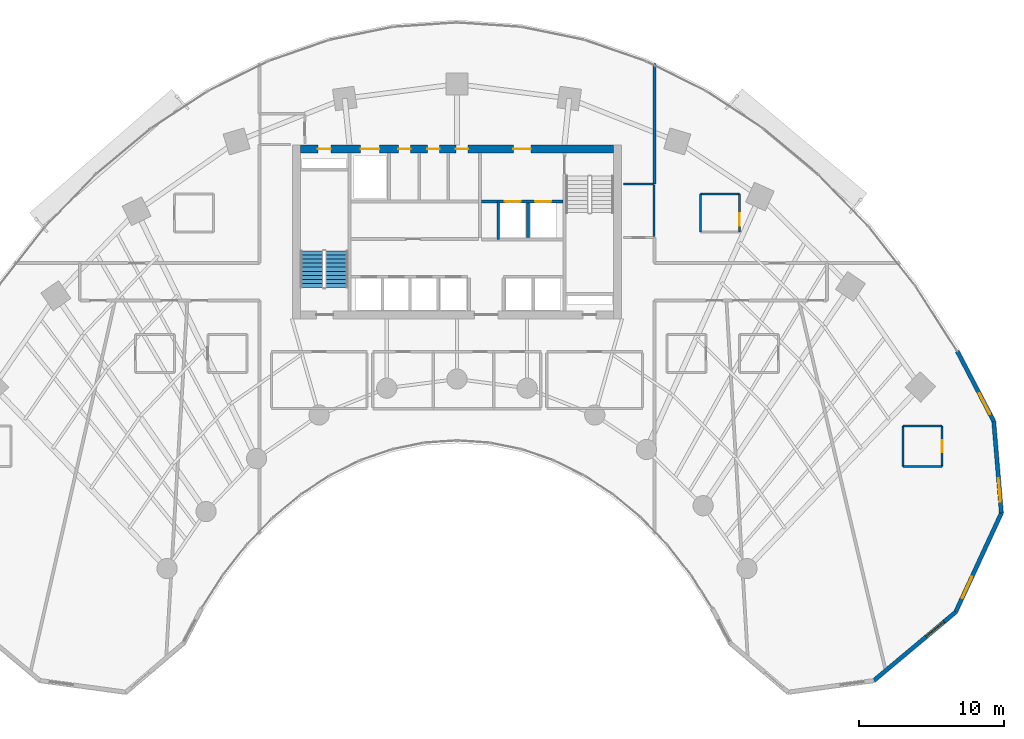
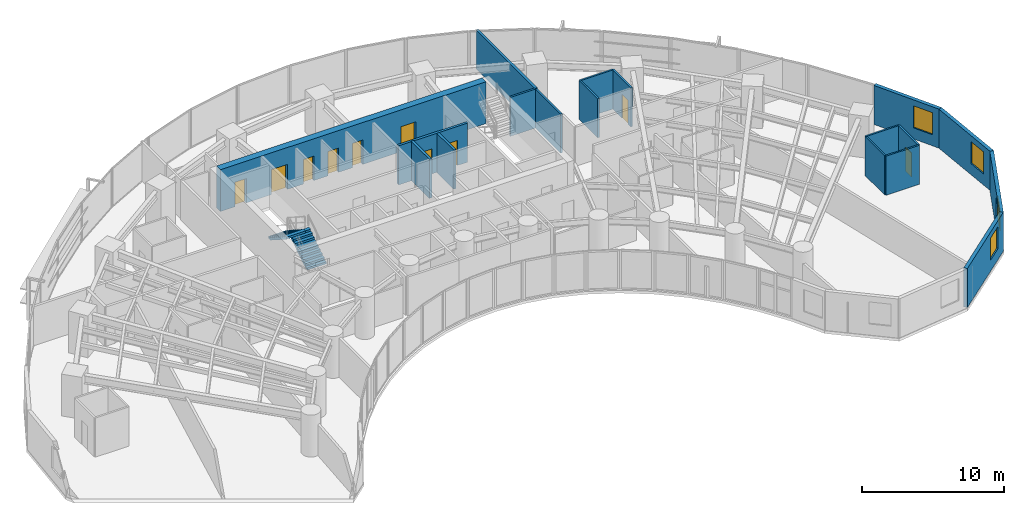
# One storey, part 14 of 17: 18 walls, 10 doors, 4 windows, 2 stair flights, 14 openings, 1 element without a shape of its own.
"""IFC4 building model written with IfcOpenShell, lengths in metres."""

from ifc_helpers import new_model, si_unit, direction, frame, frame_2d, origin, place, context, subcontext, project, spatial, polyline, rectangle, outline, extrude, source, transform, mapped, material, layer, layer_set, type_object, type_shapes, element, fill, aggregate, save


model = new_model("IFC4")

# Units and contexts
model_context = context("Model", 3, precision=1e-05, world=origin(), true_north=direction((0.0, 1.0)))
body_context = subcontext(model_context, "Body", "Model", "MODEL_VIEW")
ifc_project = project(units=[si_unit("LENGTHUNIT", "METRE"), si_unit("AREAUNIT", "SQUARE_METRE"), si_unit("VOLUMEUNIT", "CUBIC_METRE"), si_unit("PLANEANGLEUNIT", "RADIAN"), si_unit("MASSUNIT", "GRAM", prefix="KILO")], contexts=[model_context])

# Site, building, storey
site_placement = place(None, origin())
site = spatial("IfcSite", under=ifc_project, at=site_placement, CompositionType="ELEMENT")
building_placement = place(site_placement, origin())
building = spatial("IfcBuilding", under=site, at=building_placement, Name="Breltana Convention Tower", CompositionType="ELEMENT")
storey_placement = place(building_placement, frame((0.0, 0.0, 78.60009765625)))
storey = spatial("IfcBuildingStorey", under=building, at=storey_placement, Name="L18", CompositionType="ELEMENT", Elevation=78.60009765625)

# Wall, openings, doors
ifc_material_1 = material(Name="Concrete C60/75", Category="concrete")
ifc_layer_1 = layer(ifc_material_1, 0.550048828125, Name="Concrete C60/75")
ifc_layer_set_1 = layer_set([ifc_layer_1], Name="Concrete C60/75")
wall_type_1 = type_object("IfcWallType", Name="SW-CORE-550", PredefinedType="SHEAR", material=ifc_layer_set_1)
shared_shape_1 = source(origin(), body_context, "Body", "SweptSolid", [
    extrude(rectangle(XDim=21.60009765625, YDim=0.550048828125, at=frame_2d((10.800048828125, 0.0))), origin(), (0.0, 0.0, 1.0), 3.599853515625),
])
wall_1_placement = place(storey_placement, frame((37.199951171875, 71.925048828125, 0.0), z_axis=(0.0, 0.0, 1.0), x_axis=(1.0, 0.0, 0.0)))
wall_1 = element("IfcWall", 1, at=wall_1_placement, inside=storey, type_object=wall_type_1, Name="L18 North Core Shear Wall", PredefinedType="SHEAR", context=body_context, shape_type="MappedRepresentation", body=[
    mapped(shared_shape_1, transform((0.0, 0.0, 0.0), scale=1.0)),
])
opening_1_placement = place(wall_1_placement, frame((1.199951171875, 0.0, 0.0)))
opening_1 = element("IfcOpeningElement", 2, at=opening_1_placement, cuts=wall_1, Name="Opening D-18", PredefinedType="OPENING", context=body_context, shape_type="SweptSolid", body=[
    extrude(rectangle(XDim=0.89990234375, YDim=2.10009765625, at=frame_2d((0.449951171875, 1.050048828125))), frame((0.0, 0.28515625, 0.0), z_axis=(0.0, -1.0, 0.0), x_axis=(1.0, 0.0, 0.0)), (0.0, 0.0, 1.0), 0.570068359375),
])
opening_2_placement = place(wall_1_placement, frame((14.699951171875, 0.0, 0.0)))
opening_2 = element("IfcOpeningElement", 3, at=opening_2_placement, cuts=wall_1, Name="Opening D-09", PredefinedType="OPENING", context=body_context, shape_type="SweptSolid", body=[
    extrude(rectangle(XDim=1.199951171875, YDim=2.14990234375, at=frame_2d((0.60009765625, 1.074951171875))), frame((0.0, 0.28515625, 0.0), z_axis=(0.0, -1.0, 0.0), x_axis=(1.0, 0.0, 0.0)), (0.0, 0.0, 1.0), 0.570068359375),
])
opening_3_placement = place(wall_1_placement, frame((4.14990234375, 0.0, 0.0)))
opening_3 = element("IfcOpeningElement", 4, at=opening_3_placement, cuts=wall_1, Name="Opening LD-01", PredefinedType="OPENING", context=body_context, shape_type="SweptSolid", body=[
    extrude(rectangle(XDim=1.300048828125, YDim=2.14990234375, at=frame_2d((0.64990234375, 1.074951171875))), frame((0.0, 0.28515625, 0.0), z_axis=(0.0, -1.0, 0.0), x_axis=(1.0, 0.0, 0.0)), (0.0, 0.0, 1.0), 0.570068359375),
])
opening_4_placement = place(wall_1_placement, frame((6.760009765625, 0.0, 0.0)))
opening_4 = element("IfcOpeningElement", 5, at=opening_4_placement, cuts=wall_1, Name="Opening D-20", PredefinedType="OPENING", context=body_context, shape_type="SweptSolid", body=[
    extrude(rectangle(XDim=0.85009765625, YDim=2.10009765625, at=frame_2d((0.425048828125, 1.050048828125))), frame((0.0, 0.28515625, 0.0), z_axis=(0.0, -1.0, 0.0), x_axis=(1.0, 0.0, 0.0)), (0.0, 0.0, 1.0), 0.570068359375),
])
opening_5_placement = place(wall_1_placement, frame((8.760009765625, 0.0, 0.0)))
opening_5 = element("IfcOpeningElement", 6, at=opening_5_placement, cuts=wall_1, Name="Opening D-20", PredefinedType="OPENING", context=body_context, shape_type="SweptSolid", body=[
    extrude(rectangle(XDim=0.85009765625, YDim=2.10009765625, at=frame_2d((0.425048828125, 1.050048828125))), frame((0.0, 0.28515625, 0.0), z_axis=(0.0, -1.0, 0.0), x_axis=(1.0, 0.0, 0.0)), (0.0, 0.0, 1.0), 0.570068359375),
])
opening_6_placement = place(wall_1_placement, frame((10.72509765625, 0.0, 0.0)))
opening_6 = element("IfcOpeningElement", 7, at=opening_6_placement, cuts=wall_1, Name="Opening D-20", PredefinedType="OPENING", context=body_context, shape_type="SweptSolid", body=[
    extrude(rectangle(XDim=0.85009765625, YDim=2.10009765625, at=frame_2d((0.425048828125, 1.050048828125))), frame((0.0, 0.28515625, 0.0), z_axis=(0.0, -1.0, 0.0), x_axis=(1.0, 0.0, 0.0)), (0.0, 0.0, 1.0), 0.570068359375),
])
ifc_material_2 = material(Name="Steel Riser Fire Door", Category="steel")
door_type_1 = type_object("IfcDoorType", Name="DR-FD60-900", OperationType="NOTDEFINED", PredefinedType="DOOR", material=ifc_material_2)
shared_shape_2 = source(origin(), body_context, "Body", "SweptSolid", [
    extrude(rectangle(XDim=0.89990234375, YDim=2.10009765625, at=frame_2d((0.449951171875, 1.050048828125))), frame((0.0, 0.02490234375, 0.0), z_axis=(0.0, -1.0, 0.0), x_axis=(1.0, 0.0, 0.0)), (0.0, 0.0, 1.0), 0.050048828125),
])
type_shapes(door_type_1, [shared_shape_2])
door_1_placement = place(opening_1_placement, origin())
door_1 = element("IfcDoor", 8, at=door_1_placement, inside=storey, type_object=door_type_1, Name="L18 Core Riser Access Door D-L18-RS1", OperationType="SINGLE_SWING_LEFT", OverallHeight=2.10009765625, OverallWidth=0.89990234375, PredefinedType="DOOR", context=body_context, shape_type="MappedRepresentation", body=[
    mapped(shared_shape_2, transform((0.0, 0.0, 0.0), scale=1.0)),
])
fill(opening_1, door_1)
ifc_material_3 = material(Name="Steel Fire Lobby Door", Category="steel")
door_type_2 = type_object("IfcDoorType", Name="DR-FD120-1200", OperationType="NOTDEFINED", PredefinedType="DOOR", material=ifc_material_3)
shared_shape_3 = source(origin(), body_context, "Body", "SweptSolid", [
    extrude(rectangle(XDim=1.199951171875, YDim=2.14990234375, at=frame_2d((0.60009765625, 1.074951171875))), frame((0.0, 0.02490234375, 0.0), z_axis=(0.0, -1.0, 0.0), x_axis=(1.0, 0.0, 0.0)), (0.0, 0.0, 1.0), 0.050048828125),
])
type_shapes(door_type_2, [shared_shape_3])
door_2_placement = place(opening_2_placement, origin())
door_2 = element("IfcDoor", 9, at=door_2_placement, inside=storey, type_object=door_type_2, Name="L18 interior door D-L18-FFL-N", OperationType="SINGLE_SWING_RIGHT", OverallHeight=2.14990234375, OverallWidth=1.199951171875, PredefinedType="DOOR", context=body_context, shape_type="MappedRepresentation", body=[
    mapped(shared_shape_3, transform((0.0, 0.0, 0.0), scale=1.0)),
])
fill(opening_2, door_2)
ifc_material_4 = material(Name="Stainless Steel Brushed", Category="steel")
door_type_3 = type_object("IfcDoorType", Name="DR-LD-SRV-1300", OperationType="DOUBLE_DOOR_SLIDING", PredefinedType="DOOR", material=ifc_material_4)
shared_shape_4 = source(origin(), body_context, "Body", "SweptSolid", [
    extrude(rectangle(XDim=1.300048828125, YDim=2.14990234375, at=frame_2d((0.64990234375, 1.074951171875))), frame((0.0, 0.02490234375, 0.0), z_axis=(0.0, -1.0, 0.0), x_axis=(1.0, 0.0, 0.0)), (0.0, 0.0, 1.0), 0.050048828125),
])
type_shapes(door_type_3, [shared_shape_4])
door_3_placement = place(opening_3_placement, origin())
door_3 = element("IfcDoor", 10, at=door_3_placement, inside=storey, type_object=door_type_3, Name="L18 Lift Landing Door D-L18-LD-SV1", OperationType="DOUBLE_DOOR_SLIDING", OverallHeight=2.14990234375, OverallWidth=1.300048828125, PredefinedType="DOOR", context=body_context, shape_type="MappedRepresentation", body=[
    mapped(shared_shape_4, transform((0.0, 0.0, 0.0), scale=1.0)),
])
fill(opening_3, door_3)
ifc_material_5 = material(Name="Steel Closet Fire Door", Category="steel")
door_type_4 = type_object("IfcDoorType", Name="DR-FD60-850", OperationType="NOTDEFINED", PredefinedType="DOOR", material=ifc_material_5)
shared_shape_5 = source(origin(), body_context, "Body", "SweptSolid", [
    extrude(rectangle(XDim=0.85009765625, YDim=2.10009765625, at=frame_2d((0.425048828125, 1.050048828125))), frame((0.0, 0.02490234375, 0.0), z_axis=(0.0, -1.0, 0.0), x_axis=(1.0, 0.0, 0.0)), (0.0, 0.0, 1.0), 0.050048828125),
])
type_shapes(door_type_4, [shared_shape_5])
door_4_placement = place(opening_4_placement, origin())
door_4 = element("IfcDoor", 11, at=door_4_placement, inside=storey, type_object=door_type_4, Name="L18 interior door D-L18-CRA1", OperationType="SINGLE_SWING_RIGHT", OverallHeight=2.10009765625, OverallWidth=0.85009765625, PredefinedType="DOOR", context=body_context, shape_type="MappedRepresentation", body=[
    mapped(shared_shape_5, transform((0.0, 0.0, 0.0), scale=1.0)),
])
fill(opening_4, door_4)
door_5_placement = place(opening_5_placement, origin())
door_5 = element("IfcDoor", 12, at=door_5_placement, inside=storey, type_object=door_type_4, Name="L18 interior door D-L18-CRA2", OperationType="SINGLE_SWING_LEFT", OverallHeight=2.10009765625, OverallWidth=0.85009765625, PredefinedType="DOOR", context=body_context, shape_type="MappedRepresentation", body=[
    mapped(shared_shape_5, transform((0.0, 0.0, 0.0), scale=1.0)),
])
fill(opening_5, door_5)
door_6_placement = place(opening_6_placement, origin())
door_6 = element("IfcDoor", 13, at=door_6_placement, inside=storey, type_object=door_type_4, Name="L18 interior door D-L18-CRA3", OperationType="SINGLE_SWING_RIGHT", OverallHeight=2.10009765625, OverallWidth=0.85009765625, PredefinedType="DOOR", context=body_context, shape_type="MappedRepresentation", body=[
    mapped(shared_shape_5, transform((0.0, 0.0, 0.0), scale=1.0)),
])
fill(opening_6, door_6)

# Wall, opening, window
ifc_material_6 = material(Name="Limestone Buff Insulated Wall", Category="masonry")
ifc_layer_2 = layer(ifc_material_6, 0.280029296875, Name="Limestone Buff Insulated Wall")
ifc_layer_set_2 = layer_set([ifc_layer_2], Name="Limestone Buff Insulated Wall")
wall_type_2 = type_object("IfcWallType", Name="WL-EXT-NOSE-280", PredefinedType="SOLIDWALL", material=ifc_layer_set_2)
shared_shape_6 = source(origin(), body_context, "Body", "SweptSolid", [
    extrude(rectangle(XDim=6.3525390625, YDim=0.280029296875, at=frame_2d((3.17626953125, 0.0))), origin(), (0.0, 0.0, 1.0), 3.35986328125),
])
wall_2_placement = place(storey_placement, frame((85.052978515625, 53.1220703125, 0.0), z_axis=(0.0, 0.0, 1.0), x_axis=(0.083319001377, -0.996522926986, 0.0)))
wall_2 = element("IfcWall", 14, at=wall_2_placement, inside=storey, type_object=wall_type_2, Name="L18 curved limestone nose wall E1", PredefinedType="SOLIDWALL", context=body_context, shape_type="MappedRepresentation", body=[
    mapped(shared_shape_6, transform((0.0, 0.0, 0.0), scale=1.0)),
])
opening_7_placement = place(wall_2_placement, frame((3.96435546875, 0.0, 0.949951171875)))
opening_7 = element("IfcOpeningElement", 15, at=opening_7_placement, cuts=wall_2, Name="Opening W-04", PredefinedType="OPENING", context=body_context, shape_type="SweptSolid", body=[
    extrude(rectangle(XDim=1.60009765625, YDim=1.89990234375, at=frame_2d((0.800048828125, 0.949951171875))), frame((0.0, 0.14990234375, 0.0), z_axis=(0.0, -1.0, 0.0), x_axis=(1.0, 0.0, 0.0)), (0.0, 0.0, 1.0), 0.300048828125),
])
ifc_material_7 = material(Name="Glass Low-E Insulated Window", Category="glass")
window_type = type_object("IfcWindowType", Name="WN-NOSE-1600X1900", PartitioningType="SINGLE_PANEL", PredefinedType="WINDOW", material=ifc_material_7)
shared_shape_7 = source(origin(), body_context, "Body", "SweptSolid", [
    extrude(rectangle(XDim=1.60009765625, YDim=1.89990234375, at=frame_2d((0.800048828125, 0.949951171875))), frame((0.0, 0.030029296875, 0.0), z_axis=(0.0, -1.0, 0.0), x_axis=(1.0, 0.0, 0.0)), (0.0, 0.0, 1.0), 0.06005859375),
])
type_shapes(window_type, [shared_shape_7])
window_1_placement = place(opening_7_placement, origin())
window_1 = element("IfcWindow", 16, at=window_1_placement, inside=storey, type_object=window_type, Name="L18 nose window E1", OverallHeight=1.89990234375, OverallWidth=1.60009765625, PartitioningType="SINGLE_PANEL", PredefinedType="WINDOW", context=body_context, shape_type="MappedRepresentation", body=[
    mapped(shared_shape_7, transform((0.0, 0.0, 0.0), scale=1.0)),
])
fill(opening_7, window_1)

shared_shape_8 = source(origin(), body_context, "Body", "SweptSolid", [
    extrude(rectangle(XDim=7.536376953125, YDim=0.280029296875, at=frame_2d((3.76806640625, 0.0))), origin(), (0.0, 0.0, 1.0), 3.35986328125),
])
wall_3_placement = place(storey_placement, frame((85.582275390625, 46.79150390625, 0.0), z_axis=(0.0, 0.0, 1.0), x_axis=(-0.41964973873, -0.907686122393, 0.0)))
wall_3 = element("IfcWall", 17, at=wall_3_placement, inside=storey, type_object=wall_type_2, Name="L18 curved limestone nose wall E2", PredefinedType="SOLIDWALL", context=body_context, shape_type="MappedRepresentation", body=[
    mapped(shared_shape_8, transform((0.0, 0.0, 0.0), scale=1.0)),
])
opening_8_placement = place(wall_3_placement, frame((4.852294921875, 0.0, 0.949951171875)))
opening_8 = element("IfcOpeningElement", 18, at=opening_8_placement, cuts=wall_3, Name="Opening W-04", PredefinedType="OPENING", context=body_context, shape_type="SweptSolid", body=[
    extrude(rectangle(XDim=1.60009765625, YDim=1.89990234375, at=frame_2d((0.800048828125, 0.949951171875))), frame((0.0, 0.14990234375, 0.0), z_axis=(0.0, -1.0, 0.0), x_axis=(1.0, 0.0, 0.0)), (0.0, 0.0, 1.0), 0.300048828125),
])
window_2_placement = place(opening_8_placement, origin())
window_2 = element("IfcWindow", 19, at=window_2_placement, inside=storey, type_object=window_type, Name="L18 nose window E2", OverallHeight=1.89990234375, OverallWidth=1.60009765625, PartitioningType="SINGLE_PANEL", PredefinedType="WINDOW", context=body_context, shape_type="MappedRepresentation", body=[
    mapped(shared_shape_7, transform((0.0, 0.0, 0.0), scale=1.0)),
])
fill(opening_8, window_2)

shared_shape_9 = source(origin(), body_context, "Body", "SweptSolid", [
    extrude(rectangle(XDim=7.35888671875, YDim=0.280029296875, at=frame_2d((3.679443359375, 0.0))), origin(), (0.0, 0.0, 1.0), 3.35986328125),
])
wall_4_placement = place(storey_placement, frame((82.419677734375, 39.950927734375, 0.0), z_axis=(0.0, 0.0, 1.0), x_axis=(-0.766737165543, -0.641961150675, 0.0)))
wall_4 = element("IfcWall", 20, at=wall_4_placement, inside=storey, type_object=wall_type_2, Name="L18 curved limestone nose wall E3", PredefinedType="SOLIDWALL", context=body_context, shape_type="MappedRepresentation", body=[
    mapped(shared_shape_9, transform((0.0, 0.0, 0.0), scale=1.0)),
])
opening_9_placement = place(wall_4_placement, frame((1.039794921875, 0.0, 0.949951171875)))
opening_9 = element("IfcOpeningElement", 21, at=opening_9_placement, cuts=wall_4, Name="Opening W-04", PredefinedType="OPENING", context=body_context, shape_type="SweptSolid", body=[
    extrude(rectangle(XDim=1.60009765625, YDim=1.89990234375, at=frame_2d((0.800048828125, 0.949951171875))), frame((0.0, 0.14990234375, 0.0), z_axis=(0.0, -1.0, 0.0), x_axis=(1.0, 0.0, 0.0)), (0.0, 0.0, 1.0), 0.300048828125),
])
window_3_placement = place(opening_9_placement, origin())
window_3 = element("IfcWindow", 22, at=window_3_placement, inside=storey, type_object=window_type, Name="L18 nose window E3", OverallHeight=1.89990234375, OverallWidth=1.60009765625, PartitioningType="SINGLE_PANEL", PredefinedType="WINDOW", context=body_context, shape_type="MappedRepresentation", body=[
    mapped(shared_shape_7, transform((0.0, 0.0, 0.0), scale=1.0)),
])
fill(opening_9, window_3)

shared_shape_10 = source(origin(), body_context, "Body", "SweptSolid", [
    extrude(rectangle(XDim=5.45947265625, YDim=0.280029296875, at=frame_2d((2.729736328125, 0.0))), origin(), (0.0, 0.0, 1.0), 3.35986328125),
])
wall_5_placement = place(storey_placement, frame((82.531982421875, 57.964599609375, 0.0), z_axis=(0.0, 0.0, 1.0), x_axis=(0.461768054321, -0.887000712518, 0.0)))
wall_5 = element("IfcWall", 23, at=wall_5_placement, inside=storey, type_object=wall_type_2, Name="L18 curved limestone nose wall E7", PredefinedType="SOLIDWALL", context=body_context, shape_type="MappedRepresentation", body=[
    mapped(shared_shape_10, transform((0.0, 0.0, 0.0), scale=1.0)),
])
opening_10_placement = place(wall_5_placement, frame((3.294677734375, 0.0, 0.949951171875)))
opening_10 = element("IfcOpeningElement", 24, at=opening_10_placement, cuts=wall_5, Name="Opening W-04", PredefinedType="OPENING", context=body_context, shape_type="SweptSolid", body=[
    extrude(rectangle(XDim=1.60009765625, YDim=1.89990234375, at=frame_2d((0.800048828125, 0.949951171875))), frame((0.0, 0.14990234375, 0.0), z_axis=(0.0, -1.0, 0.0), x_axis=(1.0, 0.0, 0.0)), (0.0, 0.0, 1.0), 0.300048828125),
])
window_4_placement = place(opening_10_placement, origin())
window_4 = element("IfcWindow", 25, at=window_4_placement, inside=storey, type_object=window_type, Name="L18 nose window E7", OverallHeight=1.89990234375, OverallWidth=1.60009765625, PartitioningType="SINGLE_PANEL", PredefinedType="WINDOW", context=body_context, shape_type="MappedRepresentation", body=[
    mapped(shared_shape_7, transform((0.0, 0.0, 0.0), scale=1.0)),
])
fill(opening_10, window_4)

# Wall, openings, doors
ifc_material_8 = material(Name="Autoclaved Aerated Concrete Block", Category="concrete")
ifc_layer_3 = layer(ifc_material_8, 0.199951171875, Name="Autoclaved Aerated Concrete Block")
ifc_layer_set_3 = layer_set([ifc_layer_3], Name="Autoclaved Aerated Concrete Block")
wall_type_3 = type_object("IfcWallType", Name="WL-SHAFT-200", PredefinedType="SOLIDWALL", material=ifc_layer_set_3)
shared_shape_11 = source(origin(), body_context, "Body", "SweptSolid", [
    extrude(rectangle(XDim=5.6201171875, YDim=0.199951171875, at=frame_2d((2.81005859375, 0.0))), origin(), (0.0, 0.0, 1.0), 3.35986328125),
])
wall_6_placement = place(storey_placement, frame((49.699951171875, 68.300048828125, 0.0), z_axis=(0.0, 0.0, 1.0), x_axis=(1.0, 0.0, 0.0)))
wall_6 = element("IfcWall", 26, at=wall_6_placement, inside=storey, type_object=wall_type_3, Name="L18 interior partition W-L18-FFL-S", PredefinedType="SOLIDWALL", context=body_context, shape_type="MappedRepresentation", body=[
    mapped(shared_shape_11, transform((0.0, 0.0, 0.0), scale=1.0)),
])
opening_11_placement = place(wall_6_placement, frame((1.60009765625, 0.0, 0.0)))
opening_11 = element("IfcOpeningElement", 27, at=opening_11_placement, cuts=wall_6, Name="Opening LD-03", PredefinedType="OPENING", context=body_context, shape_type="SweptSolid", body=[
    extrude(rectangle(XDim=1.10009765625, YDim=2.14990234375, at=frame_2d((0.550048828125, 1.074951171875))), frame((0.0, 0.10986328125, 0.0), z_axis=(0.0, -1.0, 0.0), x_axis=(1.0, 0.0, 0.0)), (0.0, 0.0, 1.0), 0.219970703125),
])
opening_12_placement = place(wall_6_placement, frame((3.699951171875, 0.0, 0.0)))
opening_12 = element("IfcOpeningElement", 28, at=opening_12_placement, cuts=wall_6, Name="Opening LD-03", PredefinedType="OPENING", context=body_context, shape_type="SweptSolid", body=[
    extrude(rectangle(XDim=1.10009765625, YDim=2.14990234375, at=frame_2d((0.550048828125, 1.074951171875))), frame((0.0, 0.10986328125, 0.0), z_axis=(0.0, -1.0, 0.0), x_axis=(1.0, 0.0, 0.0)), (0.0, 0.0, 1.0), 0.219970703125),
])
door_type_5 = type_object("IfcDoorType", Name="DR-LD-FF-1100", OperationType="DOUBLE_DOOR_SLIDING", PredefinedType="DOOR", material=ifc_material_4)
shared_shape_12 = source(origin(), body_context, "Body", "SweptSolid", [
    extrude(rectangle(XDim=1.10009765625, YDim=2.14990234375, at=frame_2d((0.550048828125, 1.074951171875))), frame((0.0, 0.02490234375, 0.0), z_axis=(0.0, -1.0, 0.0), x_axis=(1.0, 0.0, 0.0)), (0.0, 0.0, 1.0), 0.050048828125),
])
type_shapes(door_type_5, [shared_shape_12])
door_7_placement = place(opening_11_placement, origin())
door_7 = element("IfcDoor", 29, at=door_7_placement, inside=storey, type_object=door_type_5, Name="L18 Lift Landing Door D-L18-LD-FL1", OperationType="DOUBLE_DOOR_SLIDING", OverallHeight=2.14990234375, OverallWidth=1.10009765625, PredefinedType="DOOR", context=body_context, shape_type="MappedRepresentation", body=[
    mapped(shared_shape_12, transform((0.0, 0.0, 0.0), scale=1.0)),
])
fill(opening_11, door_7)
door_8_placement = place(opening_12_placement, origin())
door_8 = element("IfcDoor", 30, at=door_8_placement, inside=storey, type_object=door_type_5, Name="L18 Lift Landing Door D-L18-LD-FL2", OperationType="DOUBLE_DOOR_SLIDING", OverallHeight=2.14990234375, OverallWidth=1.10009765625, PredefinedType="DOOR", context=body_context, shape_type="MappedRepresentation", body=[
    mapped(shared_shape_12, transform((0.0, 0.0, 0.0), scale=1.0)),
])
fill(opening_12, door_8)

# Walls
shared_shape_13 = source(origin(), body_context, "Body", "SweptSolid", [
    extrude(rectangle(XDim=2.580078125, YDim=0.199951171875, at=frame_2d((1.2900390625, 0.0))), origin(), (0.0, 0.0, 1.0), 3.35986328125),
])
wall_7_placement = place(storey_placement, frame((50.85009765625, 65.679931640625, 0.0), z_axis=(0.0, 0.0, 1.0), x_axis=(0.0, 1.0, 0.0)))
element("IfcWall", 31, at=wall_7_placement, inside=storey, type_object=wall_type_3, Name="L18 interior partition W-L18-FL-W", PredefinedType="SOLIDWALL", context=body_context, shape_type="MappedRepresentation", body=[
    mapped(shared_shape_13, transform((0.0, 0.0, 0.0), scale=1.0)),
])
shared_shape_14 = source(origin(), body_context, "Body", "SweptSolid", [
    extrude(rectangle(XDim=2.39990234375, YDim=0.199951171875, at=frame_2d((1.199951171875, 0.0))), origin(), (0.0, 0.0, 1.0), 3.35986328125),
])
wall_8_placement = place(storey_placement, frame((52.89990234375, 65.800048828125, 0.0), z_axis=(0.0, 0.0, 1.0), x_axis=(0.0, 1.0, 0.0)))
element("IfcWall", 32, at=wall_8_placement, inside=storey, type_object=wall_type_3, Name="L18 interior partition W-L18-FL-DIV", PredefinedType="SOLIDWALL", context=body_context, shape_type="MappedRepresentation", body=[
    mapped(shared_shape_14, transform((0.0, 0.0, 0.0), scale=1.0)),
])
ifc_material_9 = material(Name="Gypsum Acoustic Drywall Partition")
ifc_layer_4 = layer(ifc_material_9, 0.14990234375, Name="Gypsum Acoustic Drywall Partition")
ifc_layer_set_4 = layer_set([ifc_layer_4], Name="Gypsum Acoustic Drywall Partition")
wall_type_4 = type_object("IfcWallType", Name="WL-PART-150", PredefinedType="PARTITIONING", material=ifc_layer_set_4)
shared_shape_15 = source(origin(), body_context, "Body", "SweptSolid", [
    extrude(rectangle(XDim=2.10009765625, YDim=0.14990234375, at=frame_2d((1.050048828125, 0.0))), origin(), (0.0, 0.0, 1.0), 3.35986328125),
])
wall_9_placement = place(storey_placement, frame((59.5, 69.5, 0.0), z_axis=(0.0, 0.0, 1.0), x_axis=(1.0, 0.0, 0.0)))
element("IfcWall", 33, at=wall_9_placement, inside=storey, type_object=wall_type_4, Name="L18 interior partition W-L18-CRSE-N", PredefinedType="PARTITIONING", context=body_context, shape_type="MappedRepresentation", body=[
    mapped(shared_shape_15, transform((0.0, 0.0, 0.0), scale=1.0)),
])
shared_shape_16 = source(origin(), body_context, "Body", "SweptSolid", [
    extrude(rectangle(XDim=3.565185546875, YDim=0.14990234375, at=frame_2d((1.78271484375, 0.0))), origin(), (0.0, 0.0, 1.0), 3.35986328125),
])
wall_10_placement = place(storey_placement, frame((61.60009765625, 65.867431640625, 0.0), z_axis=(0.0, 0.0, 1.0), x_axis=(0.0, 1.0, 0.0)))
element("IfcWall", 34, at=wall_10_placement, inside=storey, type_object=wall_type_4, Name="L18 interior partition W-L18-CRSE-E", PredefinedType="PARTITIONING", context=body_context, shape_type="MappedRepresentation", body=[
    mapped(shared_shape_16, transform((0.0, 0.0, 0.0), scale=1.0)),
])
ifc_material_10 = material(Name="Gypsum Acoustic Hotel Wall")
ifc_layer_5 = layer(ifc_material_10, 0.195068359375, Name="Gypsum Acoustic Hotel Wall")
ifc_layer_set_5 = layer_set([ifc_layer_5], Name="Gypsum Acoustic Hotel Wall")
wall_type_5 = type_object("IfcWallType", Name="WL-HOTEL-200", PredefinedType="PARTITIONING", material=ifc_layer_set_5)
shared_shape_17 = source(origin(), body_context, "Body", "SweptSolid", [
    extrude(rectangle(XDim=8.324462890625, YDim=0.195068359375, at=frame_2d((4.162109375, 0.0))), origin(), (0.0, 0.0, 1.0), 3.35986328125),
])
wall_11_placement = place(storey_placement, frame((61.639892578125, 69.5, 0.0), z_axis=(0.0, 0.0, 1.0), x_axis=(0.0, 1.0, 0.0)))
element("IfcWall", 35, at=wall_11_placement, inside=storey, type_object=wall_type_5, Name="L18 interior partition W-L18-PHEN-CE2", PredefinedType="PARTITIONING", context=body_context, shape_type="MappedRepresentation", body=[
    mapped(shared_shape_17, transform((0.0, 0.0, 0.0), scale=1.0)),
])
ifc_material_11 = material(Name="Moisture-Resistant En-Suite Partition")
ifc_layer_6 = layer(ifc_material_11, 0.139892578125, Name="Moisture-Resistant En-Suite Partition")
ifc_layer_set_6 = layer_set([ifc_layer_6], Name="Moisture-Resistant En-Suite Partition")
wall_type_6 = type_object("IfcWallType", Name="WL-WET-150", PredefinedType="PARTITIONING", material=ifc_layer_set_6)
shared_shape_18 = source(origin(), body_context, "Body", "SweptSolid", [
    extrude(rectangle(XDim=2.699951171875, YDim=0.139892578125, at=frame_2d((1.35009765625, 0.0))), origin(), (0.0, 0.0, 1.0), 3.35986328125),
])
for number, where, z_axis, x_axis, name in (
    (36, (64.800048828125, 68.800048828125, 0.0), (0.0, 0.0, 1.0), (1.0, 0.0, 0.0), "L18 interior partition W-L18-PHEN1E-N"),
    (37, (78.800048828125, 52.800048828125, 0.0), (0.0, 0.0, 1.0), (1.0, 0.0, 0.0), "L18 interior partition W-L18-PHES3E-N"),
    (38, (78.800048828125, 50.0, 0.0), (0.0, 0.0, 1.0), (1.0, 0.0, 0.0), "L18 interior partition W-L18-PHES3E-S"),
):
    element("IfcWall", number, at=place(storey_placement, frame(where, z_axis=z_axis, x_axis=x_axis)), inside=storey, type_object=wall_type_6, Name=name, PredefinedType="PARTITIONING", context=body_context, shape_type="MappedRepresentation", body=[
        mapped(shared_shape_18, transform((0.0, 0.0, 0.0), scale=1.0)),
    ])
shared_shape_19 = source(origin(), body_context, "Body", "SweptSolid", [
    extrude(rectangle(XDim=2.60009765625, YDim=0.139892578125, at=frame_2d((1.300048828125, 0.0))), origin(), (0.0, 0.0, 1.0), 3.35986328125),
])
wall_12_placement = place(storey_placement, frame((64.800048828125, 66.199951171875, 0.0), z_axis=(0.0, 0.0, 1.0), x_axis=(0.0, 1.0, 0.0)))
element("IfcWall", 39, at=wall_12_placement, inside=storey, type_object=wall_type_6, Name="L18 interior partition W-L18-PHEN1E-W", PredefinedType="PARTITIONING", context=body_context, shape_type="MappedRepresentation", body=[
    mapped(shared_shape_19, transform((0.0, 0.0, 0.0), scale=1.0)),
])

# Wall, opening, door
wall_13_placement = place(storey_placement, frame((67.5, 66.199951171875, 0.0), z_axis=(0.0, 0.0, 1.0), x_axis=(0.0, 1.0, 0.0)))
wall_13 = element("IfcWall", 40, at=wall_13_placement, inside=storey, type_object=wall_type_6, Name="L18 interior partition W-L18-PHEN1E-E", PredefinedType="PARTITIONING", context=body_context, shape_type="MappedRepresentation", body=[
    mapped(shared_shape_19, transform((0.0, 0.0, 0.0), scale=1.0)),
])
opening_13_placement = place(wall_13_placement, frame((0.425048828125, 0.0, 0.0)))
opening_13 = element("IfcOpeningElement", 41, at=opening_13_placement, cuts=wall_13, Name="Opening D-21", PredefinedType="OPENING", context=body_context, shape_type="SweptSolid", body=[
    extrude(rectangle(XDim=0.85009765625, YDim=2.050048828125, at=frame_2d((0.425048828125, 1.02490234375))), frame((0.0, 0.080078125, 0.0), z_axis=(0.0, -1.0, 0.0), x_axis=(1.0, 0.0, 0.0)), (0.0, 0.0, 1.0), 0.159912109375),
])
ifc_material_12 = material(Name="Timber Moisture-Resistant En-Suite Door", Category="wood")
door_type_6 = type_object("IfcDoorType", Name="DR-WET-850", OperationType="NOTDEFINED", PredefinedType="DOOR", material=ifc_material_12)
shared_shape_20 = source(origin(), body_context, "Body", "SweptSolid", [
    extrude(rectangle(XDim=0.85009765625, YDim=2.050048828125, at=frame_2d((0.425048828125, 1.02490234375))), frame((0.0, 0.02490234375, 0.0), z_axis=(0.0, -1.0, 0.0), x_axis=(1.0, 0.0, 0.0)), (0.0, 0.0, 1.0), 0.050048828125),
])
type_shapes(door_type_6, [shared_shape_20])
door_9_placement = place(opening_13_placement, origin())
door_9 = element("IfcDoor", 42, at=door_9_placement, inside=storey, type_object=door_type_6, Name="L18 interior door D-L18-PHEN1E", OperationType="SINGLE_SWING_RIGHT", OverallHeight=2.050048828125, OverallWidth=0.85009765625, PredefinedType="DOOR", context=body_context, shape_type="MappedRepresentation", body=[
    mapped(shared_shape_20, transform((0.0, 0.0, 0.0), scale=1.0)),
])
fill(opening_13, door_9)

# Wall
shared_shape_21 = source(origin(), body_context, "Body", "SweptSolid", [
    extrude(rectangle(XDim=2.800048828125, YDim=0.139892578125, at=frame_2d((1.39990234375, 0.0))), origin(), (0.0, 0.0, 1.0), 3.35986328125),
])
wall_14_placement = place(storey_placement, frame((78.800048828125, 50.0, 0.0), z_axis=(0.0, 0.0, 1.0), x_axis=(0.0, 1.0, 0.0)))
element("IfcWall", 43, at=wall_14_placement, inside=storey, type_object=wall_type_6, Name="L18 interior partition W-L18-PHES3E-W", PredefinedType="PARTITIONING", context=body_context, shape_type="MappedRepresentation", body=[
    mapped(shared_shape_21, transform((0.0, 0.0, 0.0), scale=1.0)),
])

# Wall, opening, door
wall_15_placement = place(storey_placement, frame((81.5, 50.0, 0.0), z_axis=(0.0, 0.0, 1.0), x_axis=(0.0, 1.0, 0.0)))
wall_15 = element("IfcWall", 44, at=wall_15_placement, inside=storey, type_object=wall_type_6, Name="L18 interior partition W-L18-PHES3E-E", PredefinedType="PARTITIONING", context=body_context, shape_type="MappedRepresentation", body=[
    mapped(shared_shape_21, transform((0.0, 0.0, 0.0), scale=1.0)),
])
opening_14_placement = place(wall_15_placement, frame((0.97509765625, 0.0, 0.0)))
opening_14 = element("IfcOpeningElement", 45, at=opening_14_placement, cuts=wall_15, Name="Opening D-21", PredefinedType="OPENING", context=body_context, shape_type="SweptSolid", body=[
    extrude(rectangle(XDim=0.85009765625, YDim=2.050048828125, at=frame_2d((0.425048828125, 1.02490234375))), frame((0.0, 0.080078125, 0.0), z_axis=(0.0, -1.0, 0.0), x_axis=(1.0, 0.0, 0.0)), (0.0, 0.0, 1.0), 0.159912109375),
])
door_10_placement = place(opening_14_placement, origin())
door_10 = element("IfcDoor", 46, at=door_10_placement, inside=storey, type_object=door_type_6, Name="L18 interior door D-L18-PHES3E", OperationType="SINGLE_SWING_RIGHT", OverallHeight=2.050048828125, OverallWidth=0.85009765625, PredefinedType="DOOR", context=body_context, shape_type="MappedRepresentation", body=[
    mapped(shared_shape_20, transform((0.0, 0.0, 0.0), scale=1.0)),
])
fill(opening_14, door_10)

# Stair, stair flights
ifc_material_13 = material(Name="Concrete C40/50", Category="concrete")
stair_type = type_object("IfcStairType", Name="ST-DOG-1560-R180", PredefinedType="HALF_TURN_STAIR", material=ifc_material_13)
stair_placement = place(storey_placement, origin())
stair = element("IfcStair", 47, at=stair_placement, inside=storey, type_object=stair_type, Name="L18 Protected Core Exit Stair ST-1", PredefinedType="HALF_TURN_STAIR")
stair_flight_type = type_object("IfcStairFlightType", Name="STF-DOG-1560-N10-R180", PredefinedType="STRAIGHT", material=ifc_material_13)
stair_flight_1_placement = place(storey_placement, frame((39.68994140625, 62.360107421875, 0.0), z_axis=(0.0, 0.0, 1.0), x_axis=(0.0, 1.0, 0.0)))
stair_flight_1 = element("IfcStairFlight", 48, at=stair_flight_1_placement, type_object=stair_flight_type, Name="ST-1 flight 1", NumberOfRisers=10, NumberOfTreads=9, PredefinedType="STRAIGHT", RiserHeight=0.18, TreadLength=0.28, context=body_context, shape_type="SweptSolid", body=[
    extrude(outline(polyline([(0.0, 0.0), (0.0, 0.179931640625), (0.280029296875, 0.179931640625), (0.280029296875, 0.360107421875), (0.56005859375, 0.360107421875), (0.56005859375, 0.5400390625), (0.840087890625, 0.5400390625), (0.840087890625, 0.719970703125), (1.1201171875, 0.719970703125), (1.1201171875, 0.89990234375), (1.39990234375, 0.89990234375), (1.39990234375, 1.080078125), (1.679931640625, 1.080078125), (1.679931640625, 1.260009765625), (1.9599609375, 1.260009765625), (1.9599609375, 1.43994140625), (2.239990234375, 1.43994140625), (2.239990234375, 1.6201171875), (2.52001953125, 1.6201171875), (2.52001953125, 1.800048828125), (2.52001953125, 1.44189453125), (0.277099609375, 0.0), (0.0, 0.0)])), frame((0.0, 0.780029296875, 0.0), z_axis=(0.0, -1.0, 0.0), x_axis=(1.0, 0.0, 0.0)), (0.0, 0.0, 1.0), 1.56005859375),
])
stair_flight_2_placement = place(storey_placement, frame((37.97998046875, 64.8798828125, 1.7998046875), z_axis=(0.0, 0.0, 1.0), x_axis=(0.0, -1.0, 0.0)))
stair_flight_2 = element("IfcStairFlight", 49, at=stair_flight_2_placement, type_object=stair_flight_type, Name="ST-1 flight 2", NumberOfRisers=10, NumberOfTreads=9, PredefinedType="STRAIGHT", RiserHeight=0.18, TreadLength=0.28, context=body_context, shape_type="SweptSolid", body=[
    extrude(outline(polyline([(0.0, 0.0), (0.0, 0.179931640625), (0.280029296875, 0.179931640625), (0.280029296875, 0.360107421875), (0.56005859375, 0.360107421875), (0.56005859375, 0.5400390625), (0.840087890625, 0.5400390625), (0.840087890625, 0.719970703125), (1.1201171875, 0.719970703125), (1.1201171875, 0.89990234375), (1.39990234375, 0.89990234375), (1.39990234375, 1.080078125), (1.679931640625, 1.080078125), (1.679931640625, 1.260009765625), (1.9599609375, 1.260009765625), (1.9599609375, 1.43994140625), (2.239990234375, 1.43994140625), (2.239990234375, 1.6201171875), (2.52001953125, 1.6201171875), (2.52001953125, 1.800048828125), (2.52001953125, 1.44189453125), (0.277099609375, 0.0), (0.0, 0.0)])), frame((0.0, 0.780029296875, 0.0), z_axis=(0.0, -1.0, 0.0), x_axis=(1.0, 0.0, 0.0)), (0.0, 0.0, 1.0), 1.56005859375),
])
aggregate(stair, [stair_flight_1, stair_flight_2])

save(model, "model.ifc")
